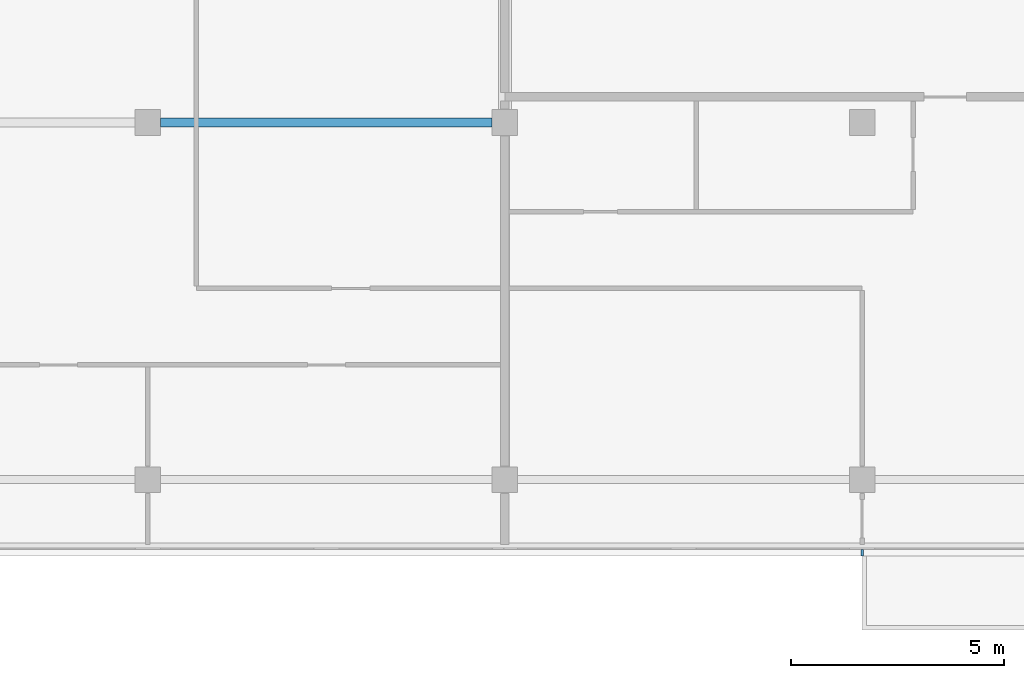
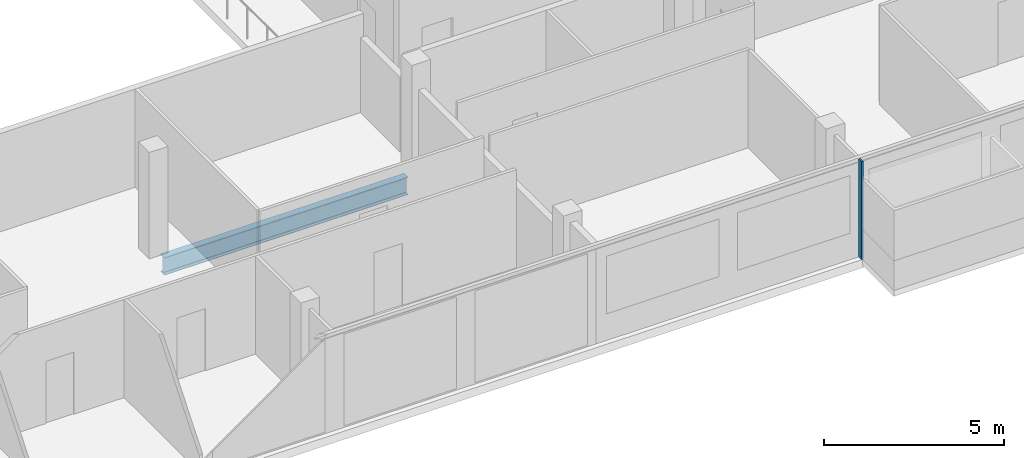
# One storey, part 6 of 29: 1 beam, 1 member, 1 element without a shape of its own.
"""IFC4 building model written with IfcOpenShell, lengths in metres."""

from ifc_helpers import new_model, si_unit, direction, frame, origin, origin_2d, place, context, subcontext, project, spatial, rectangle, i_section, extrude, material, material_profile, profile_set, type_object, element, aggregate, save


model = new_model("IFC4")

# Units and contexts
model_context = context("Model", 3, precision=1e-05, world=origin(), true_north=direction((0.0, 1.0)))
body_context = subcontext(model_context, "Body", "Model", "MODEL_VIEW")
ifc_project = project(units=[si_unit("LENGTHUNIT", "METRE"), si_unit("AREAUNIT", "SQUARE_METRE"), si_unit("VOLUMEUNIT", "CUBIC_METRE"), si_unit("PLANEANGLEUNIT", "RADIAN"), si_unit("MASSUNIT", "GRAM", prefix="KILO")], contexts=[model_context])

# Site, building, storey
site_placement = place(None, origin())
site = spatial("IfcSite", under=ifc_project, at=site_placement, CompositionType="ELEMENT")
building_placement = place(site_placement, origin())
building = spatial("IfcBuilding", under=site, at=building_placement, Name="Saffron Gate Tower", CompositionType="ELEMENT")
storey_placement = place(building_placement, frame((0.0, 0.0, 227.10009765625)))
storey = spatial("IfcBuildingStorey", under=building, at=storey_placement, Name="L55", CompositionType="ELEMENT", Elevation=227.10009765625)

# Beam
ifc_material_1 = material(Name="Structural steel S355", Category="steel")
ifc_material_profile_1 = material_profile(ifc_material_1, i_section(OverallWidth=0.219970703125, OverallDepth=0.60009765625, WebThickness=0.011962890625, FlangeThickness=0.01904296875, FilletRadius=0.02392578125, at=origin_2d()))
ifc_profile_set_1 = profile_set([ifc_material_profile_1], Name="Structural steel S355")
beam_type = type_object("IfcBeamType", Name="B15 IPE 600", PredefinedType="BEAM", material=ifc_profile_set_1)
beam_placement = place(storey_placement, frame((92.10009765625, 40.199951171875, -0.580078125), z_axis=(1.0, 0.0, 0.0), x_axis=(0.0, 1.0, 0.0)))
element("IfcBeam", 1, at=beam_placement, inside=storey, type_object=beam_type, Name="B15 FLOOR GIRDER", PredefinedType="BEAM", context=body_context, shape_type="SweptSolid", body=[
    extrude(i_section(OverallWidth=0.219970703125, OverallDepth=0.60009765625, WebThickness=0.011962890625, FlangeThickness=0.01904296875, FilletRadius=0.02392578125, at=origin_2d()), origin(), (0.0, 0.0, 1.0), 7.7998046875),
])

# Curtain wall, member
ifc_material_2 = material(Name="Aluminium, bronze anodised", Category="aluminium")
curtain_wall_type = type_object("IfcCurtainWallType", Name="CWS1 curtain wall front facade", PredefinedType="NOTDEFINED", material=ifc_material_2)
curtain_wall_placement = place(storey_placement, origin())
curtain_wall = element("IfcCurtainWall", 2, at=curtain_wall_placement, inside=storey, type_object=curtain_wall_type, Name="CWS1 run 1", PredefinedType="NOTDEFINED")
ifc_material_profile_2 = material_profile(ifc_material_2, rectangle(XDim=0.159912109375, YDim=0.06005859375, at=origin_2d()))
ifc_profile_set_2 = profile_set([ifc_material_profile_2], Name="Aluminium, bronze anodised")
member_type = type_object("IfcMemberType", Name="CWS1 mullion 60x160", PredefinedType="MULLION", material=ifc_profile_set_2)
member_placement = place(storey_placement, frame((108.60009765625, 30.080078125, 0.0), z_axis=(0.0, 0.0, 1.0), x_axis=(0.0, 1.0, 0.0)))
member = element("IfcMember", 3, at=member_placement, type_object=member_type, Name="CWS1 mullion 8", PredefinedType="MULLION", context=body_context, shape_type="SweptSolid", body=[
    extrude(rectangle(XDim=0.159912109375, YDim=0.06005859375, at=origin_2d()), origin(), (0.0, 0.0, 1.0), 3.31982421875),
])
aggregate(curtain_wall, [member])

save(model, "model.ifc")
